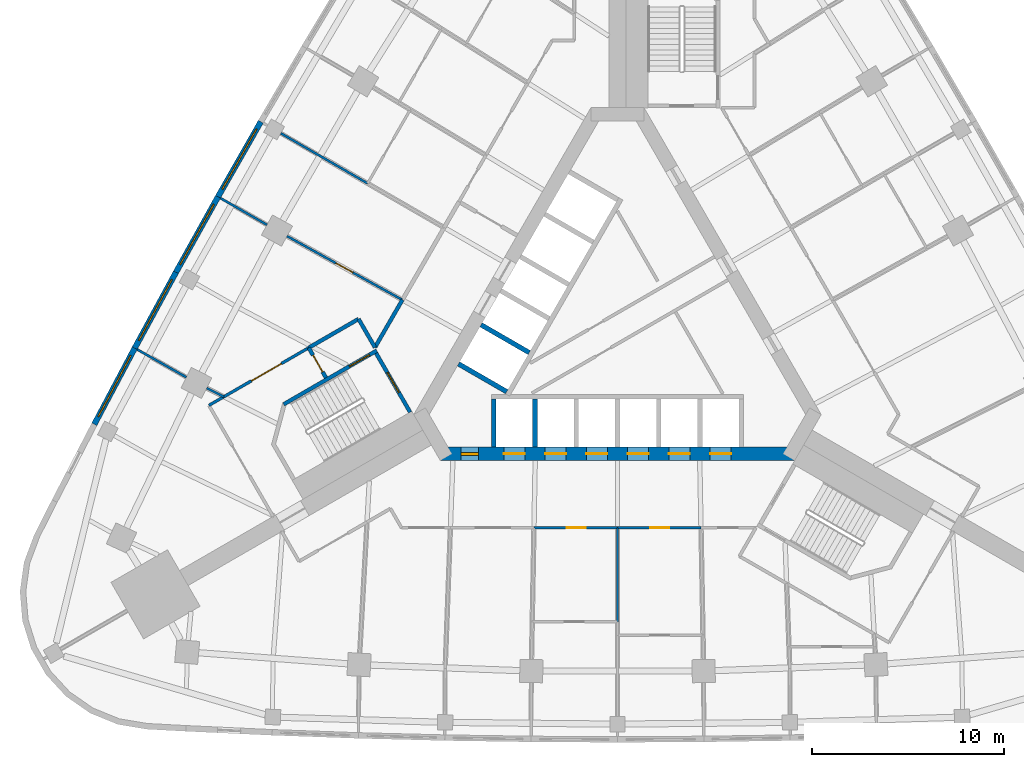
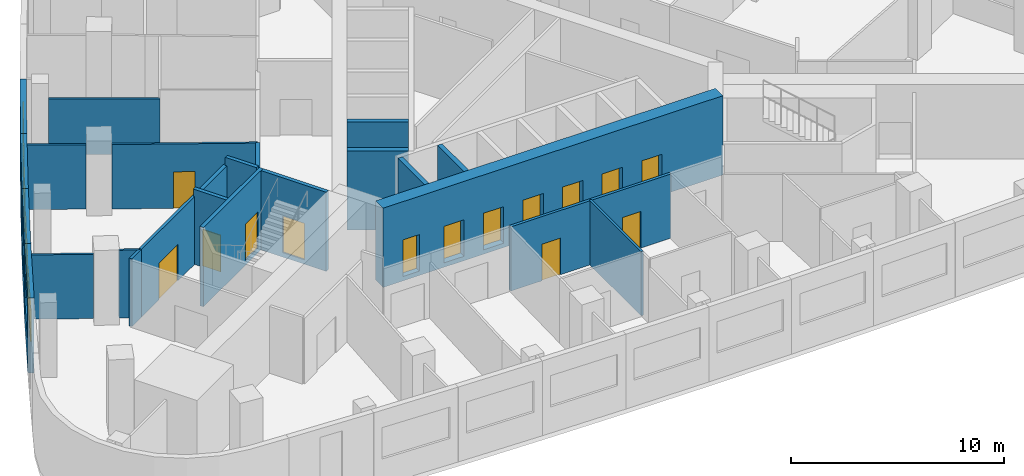
# One storey, part 5 of 11: 25 walls, 14 doors, 4 windows, 18 openings.
"""IFC4 building model written with IfcOpenShell, lengths in metres."""

from ifc_helpers import new_model, si_unit, direction, frame, frame_2d, origin, place, context, subcontext, project, spatial, rectangle, extrude, material, layer, layer_set, type_object, element, fill, save


model = new_model("IFC4")

# Units and contexts
model_context = context("Model", 3, precision=1e-05, world=origin(), true_north=direction((0.0, 1.0)))
body_context = subcontext(model_context, "Body", "Model", "MODEL_VIEW")
ifc_project = project(units=[si_unit("LENGTHUNIT", "METRE"), si_unit("AREAUNIT", "SQUARE_METRE"), si_unit("VOLUMEUNIT", "CUBIC_METRE"), si_unit("PLANEANGLEUNIT", "RADIAN"), si_unit("MASSUNIT", "GRAM", prefix="KILO")], contexts=[model_context])

# Site, building, storey
site_placement = place(None, origin())
site = spatial("IfcSite", under=ifc_project, at=site_placement, CompositionType="ELEMENT")
building_placement = place(site_placement, origin())
building = spatial("IfcBuilding", under=site, at=building_placement, Name="Noor Cloister Tower", CompositionType="ELEMENT")
storey_placement = place(building_placement, frame((0.0, 0.0, 19.5)))
storey = spatial("IfcBuildingStorey", under=building, at=storey_placement, Name="L04", CompositionType="ELEMENT", Elevation=19.5)

# Wall, openings, doors
ifc_material_1 = material(Name="Concrete C80/95", Category="concrete")
ifc_layer_1 = layer(ifc_material_1, 0.699951171875)
ifc_layer_set_1 = layer_set([ifc_layer_1], Name="Core wall 700 C80/95")
wall_type_1 = type_object("IfcWallType", Name="Core wall 700 C80/95", PredefinedType="SHEAR", material=ifc_layer_set_1)
wall_1_placement = place(storey_placement, frame((-9.228759765625, -6.578125, -0.25), z_axis=(0.0, 0.0, 1.0), x_axis=(1.0, 0.0, 0.0)))
wall_1 = element("IfcWall", 1, at=wall_1_placement, inside=storey, type_object=wall_type_1, Name="Core wall L04 1", PredefinedType="SHEAR", context=body_context, shape_type="SweptSolid", body=[
    extrude(rectangle(XDim=18.45751953125, YDim=0.699951171875, at=frame_2d((9.228759765625, 0.0))), origin(), (0.0, 0.0, 1.0), 4.550048828125),
])
opening_1_placement = place(wall_1_placement, frame((3.3037109375, 0.0, 0.25)))
opening_1 = element("IfcOpeningElement", 2, at=opening_1_placement, cuts=wall_1, Name="Opening L04-LR1", PredefinedType="OPENING", context=body_context, shape_type="SweptSolid", body=[
    extrude(rectangle(XDim=1.10009765625, YDim=2.10009765625, at=frame_2d((0.550048828125, 1.050048828125))), frame((0.0, 0.35986328125, 0.0), z_axis=(0.0, -1.0, 0.0), x_axis=(1.0, 0.0, 0.0)), (0.0, 0.0, 1.0), 0.719970703125),
])
opening_2_placement = place(wall_1_placement, frame((5.45361328125, 0.0, 0.25)))
opening_2 = element("IfcOpeningElement", 3, at=opening_2_placement, cuts=wall_1, Name="Opening L04-LR2", PredefinedType="OPENING", context=body_context, shape_type="SweptSolid", body=[
    extrude(rectangle(XDim=1.10009765625, YDim=2.10009765625, at=frame_2d((0.550048828125, 1.050048828125))), frame((0.0, 0.35986328125, 0.0), z_axis=(0.0, -1.0, 0.0), x_axis=(1.0, 0.0, 0.0)), (0.0, 0.0, 1.0), 0.719970703125),
])
opening_3_placement = place(wall_1_placement, frame((7.603759765625, 0.0, 0.25)))
opening_3 = element("IfcOpeningElement", 4, at=opening_3_placement, cuts=wall_1, Name="Opening L04-LR3", PredefinedType="OPENING", context=body_context, shape_type="SweptSolid", body=[
    extrude(rectangle(XDim=1.10009765625, YDim=2.10009765625, at=frame_2d((0.550048828125, 1.050048828125))), frame((0.0, 0.35986328125, 0.0), z_axis=(0.0, -1.0, 0.0), x_axis=(1.0, 0.0, 0.0)), (0.0, 0.0, 1.0), 0.719970703125),
])
opening_4_placement = place(wall_1_placement, frame((9.753662109375, 0.0, 0.25)))
opening_4 = element("IfcOpeningElement", 5, at=opening_4_placement, cuts=wall_1, Name="Opening L04-LR4", PredefinedType="OPENING", context=body_context, shape_type="SweptSolid", body=[
    extrude(rectangle(XDim=1.10009765625, YDim=2.10009765625, at=frame_2d((0.550048828125, 1.050048828125))), frame((0.0, 0.35986328125, 0.0), z_axis=(0.0, -1.0, 0.0), x_axis=(1.0, 0.0, 0.0)), (0.0, 0.0, 1.0), 0.719970703125),
])
opening_5_placement = place(wall_1_placement, frame((11.90380859375, 0.0, 0.25)))
opening_5 = element("IfcOpeningElement", 6, at=opening_5_placement, cuts=wall_1, Name="Opening L04-LR5", PredefinedType="OPENING", context=body_context, shape_type="SweptSolid", body=[
    extrude(rectangle(XDim=1.10009765625, YDim=2.10009765625, at=frame_2d((0.550048828125, 1.050048828125))), frame((0.0, 0.35986328125, 0.0), z_axis=(0.0, -1.0, 0.0), x_axis=(1.0, 0.0, 0.0)), (0.0, 0.0, 1.0), 0.719970703125),
])
opening_6_placement = place(wall_1_placement, frame((14.0537109375, 0.0, 0.25)))
opening_6 = element("IfcOpeningElement", 7, at=opening_6_placement, cuts=wall_1, Name="Opening L04-LR6", PredefinedType="OPENING", context=body_context, shape_type="SweptSolid", body=[
    extrude(rectangle(XDim=1.10009765625, YDim=2.10009765625, at=frame_2d((0.550048828125, 1.050048828125))), frame((0.0, 0.35986328125, 0.0), z_axis=(0.0, -1.0, 0.0), x_axis=(1.0, 0.0, 0.0)), (0.0, 0.0, 1.0), 0.719970703125),
])
opening_7_placement = place(wall_1_placement, frame((1.078857421875, 0.0, 0.25)))
opening_7 = element("IfcOpeningElement", 8, at=opening_7_placement, cuts=wall_1, Name="Opening L04-905", PredefinedType="OPENING", context=body_context, shape_type="SweptSolid", body=[
    extrude(rectangle(XDim=0.89990234375, YDim=2.10009765625, at=frame_2d((0.449951171875, 1.050048828125))), frame((0.0, 0.35986328125, 0.0), z_axis=(0.0, -1.0, 0.0), x_axis=(1.0, 0.0, 0.0)), (0.0, 0.0, 1.0), 0.719970703125),
])
ifc_material_2 = material(Name="Steel", Category="steel")
door_type_1 = type_object("IfcDoorType", Name="Core door 900 x 2100 FD120", OperationType="SINGLE_SWING_LEFT", PredefinedType="DOOR", material=ifc_material_2)
door_1_placement = place(opening_7_placement, origin())
door_1 = element("IfcDoor", 9, at=door_1_placement, inside=storey, type_object=door_type_1, Name="Core door 5 L04", OperationType="SINGLE_SWING_LEFT", OverallHeight=2.10009765625, OverallWidth=0.89990234375, PredefinedType="DOOR", context=body_context, shape_type="SweptSolid", body=[
    extrude(rectangle(XDim=0.89990234375, YDim=2.10009765625, at=frame_2d((0.449951171875, 1.050048828125))), frame((0.0, 0.074951171875, 0.0), z_axis=(0.0, -1.0, 0.0), x_axis=(1.0, 0.0, 0.0)), (0.0, 0.0, 1.0), 0.14990234375),
])
fill(opening_7, door_1)
ifc_material_3 = material(Name="Stainless steel", Category="steel")
door_type_2 = type_object("IfcDoorType", Name="Lift landing door 1100 x 2100", OperationType="DOUBLE_DOOR_SLIDING", PredefinedType="DOOR", material=ifc_material_3)
door_2_placement = place(opening_1_placement, origin())
door_2 = element("IfcDoor", 10, at=door_2_placement, inside=storey, type_object=door_type_2, Name="Landing door LR1 L04", OperationType="DOUBLE_DOOR_SLIDING", OverallHeight=2.10009765625, OverallWidth=1.10009765625, PredefinedType="DOOR", context=body_context, shape_type="SweptSolid", body=[
    extrude(rectangle(XDim=1.10009765625, YDim=2.10009765625, at=frame_2d((0.550048828125, 1.050048828125))), frame((0.0, 0.02490234375, 0.0), z_axis=(0.0, -1.0, 0.0), x_axis=(1.0, 0.0, 0.0)), (0.0, 0.0, 1.0), 0.050048828125),
])
fill(opening_1, door_2)
door_3_placement = place(opening_2_placement, origin())
door_3 = element("IfcDoor", 11, at=door_3_placement, inside=storey, type_object=door_type_2, Name="Landing door LR2 L04", OperationType="DOUBLE_DOOR_SLIDING", OverallHeight=2.10009765625, OverallWidth=1.10009765625, PredefinedType="DOOR", context=body_context, shape_type="SweptSolid", body=[
    extrude(rectangle(XDim=1.10009765625, YDim=2.10009765625, at=frame_2d((0.550048828125, 1.050048828125))), frame((0.0, 0.02490234375, 0.0), z_axis=(0.0, -1.0, 0.0), x_axis=(1.0, 0.0, 0.0)), (0.0, 0.0, 1.0), 0.050048828125),
])
fill(opening_2, door_3)
door_4_placement = place(opening_3_placement, origin())
door_4 = element("IfcDoor", 12, at=door_4_placement, inside=storey, type_object=door_type_2, Name="Landing door LR3 L04", OperationType="DOUBLE_DOOR_SLIDING", OverallHeight=2.10009765625, OverallWidth=1.10009765625, PredefinedType="DOOR", context=body_context, shape_type="SweptSolid", body=[
    extrude(rectangle(XDim=1.10009765625, YDim=2.10009765625, at=frame_2d((0.550048828125, 1.050048828125))), frame((0.0, 0.02490234375, 0.0), z_axis=(0.0, -1.0, 0.0), x_axis=(1.0, 0.0, 0.0)), (0.0, 0.0, 1.0), 0.050048828125),
])
fill(opening_3, door_4)
door_5_placement = place(opening_4_placement, origin())
door_5 = element("IfcDoor", 13, at=door_5_placement, inside=storey, type_object=door_type_2, Name="Landing door LR4 L04", OperationType="DOUBLE_DOOR_SLIDING", OverallHeight=2.10009765625, OverallWidth=1.10009765625, PredefinedType="DOOR", context=body_context, shape_type="SweptSolid", body=[
    extrude(rectangle(XDim=1.10009765625, YDim=2.10009765625, at=frame_2d((0.550048828125, 1.050048828125))), frame((0.0, 0.02490234375, 0.0), z_axis=(0.0, -1.0, 0.0), x_axis=(1.0, 0.0, 0.0)), (0.0, 0.0, 1.0), 0.050048828125),
])
fill(opening_4, door_5)
door_6_placement = place(opening_5_placement, origin())
door_6 = element("IfcDoor", 14, at=door_6_placement, inside=storey, type_object=door_type_2, Name="Landing door LR5 L04", OperationType="DOUBLE_DOOR_SLIDING", OverallHeight=2.10009765625, OverallWidth=1.10009765625, PredefinedType="DOOR", context=body_context, shape_type="SweptSolid", body=[
    extrude(rectangle(XDim=1.10009765625, YDim=2.10009765625, at=frame_2d((0.550048828125, 1.050048828125))), frame((0.0, 0.02490234375, 0.0), z_axis=(0.0, -1.0, 0.0), x_axis=(1.0, 0.0, 0.0)), (0.0, 0.0, 1.0), 0.050048828125),
])
fill(opening_5, door_6)
door_7_placement = place(opening_6_placement, origin())
door_7 = element("IfcDoor", 15, at=door_7_placement, inside=storey, type_object=door_type_2, Name="Landing door LR6 L04", OperationType="DOUBLE_DOOR_SLIDING", OverallHeight=2.10009765625, OverallWidth=1.10009765625, PredefinedType="DOOR", context=body_context, shape_type="SweptSolid", body=[
    extrude(rectangle(XDim=1.10009765625, YDim=2.10009765625, at=frame_2d((0.550048828125, 1.050048828125))), frame((0.0, 0.02490234375, 0.0), z_axis=(0.0, -1.0, 0.0), x_axis=(1.0, 0.0, 0.0)), (0.0, 0.0, 1.0), 0.050048828125),
])
fill(opening_6, door_7)

# Wall, opening, door
ifc_material_4 = material(Name="Plasterboard on steel studs", Category="steel")
ifc_layer_2 = layer(ifc_material_4, 0.14990234375)
ifc_layer_set_2 = layer_set([ifc_layer_2], Name="Corridor wall 150")
wall_type_2 = type_object("IfcWallType", Name="Corridor wall 150", PredefinedType="PARTITIONING", material=ifc_layer_set_2)
wall_2_placement = place(storey_placement, frame((4.35498046875, -10.427978515625, 0.0), z_axis=(0.0, 0.0, 1.0), x_axis=(-1.0, 0.0, 0.0)))
wall_2 = element("IfcWall", 16, at=wall_2_placement, inside=storey, type_object=wall_type_2, Name="Partition", PredefinedType="PARTITIONING", context=body_context, shape_type="SweptSolid", body=[
    extrude(rectangle(XDim=4.35888671875, YDim=0.14990234375, at=frame_2d((2.179443359375, 0.0))), origin(), (0.0, 0.0, 1.0), 3.68798828125),
])
opening_8_placement = place(wall_2_placement, frame((1.64990234375, 0.0, 0.0)))
opening_8 = element("IfcOpeningElement", 17, at=opening_8_placement, cuts=wall_2, Name="Opening L04-010", PredefinedType="OPENING", context=body_context, shape_type="SweptSolid", body=[
    extrude(rectangle(XDim=1.0, YDim=2.10009765625, at=frame_2d((0.5, 1.050048828125))), frame((0.0, 0.0849609375, 0.0), z_axis=(0.0, -1.0, 0.0), x_axis=(1.0, 0.0, 0.0)), (0.0, 0.0, 1.0), 0.169921875),
])
ifc_material_5 = material(Name="Timber door leaf", Category="wood")
door_type_3 = type_object("IfcDoorType", Name="Clinic room door 1000", OperationType="SINGLE_SWING_LEFT", PredefinedType="DOOR", material=ifc_material_5)
door_8_placement = place(opening_8_placement, origin())
door_8 = element("IfcDoor", 18, at=door_8_placement, inside=storey, type_object=door_type_3, Name="Door L04-010", OperationType="SINGLE_SWING_LEFT", OverallHeight=2.10009765625, OverallWidth=1.0, PredefinedType="DOOR", context=body_context, shape_type="SweptSolid", body=[
    extrude(rectangle(XDim=1.0, YDim=2.10009765625, at=frame_2d((0.5, 1.050048828125))), frame((0.0, 0.02490234375, 0.0), z_axis=(0.0, -1.0, 0.0), x_axis=(1.0, 0.0, 0.0)), (0.0, 0.0, 1.0), 0.050048828125),
])
fill(opening_8, door_8)

wall_3_placement = place(storey_placement, frame((0.00390625, -10.427978515625, 0.0), z_axis=(0.0, 0.0, 1.0), x_axis=(-1.0, 0.0, 0.0)))
wall_3 = element("IfcWall", 19, at=wall_3_placement, inside=storey, type_object=wall_type_2, Name="Partition", PredefinedType="PARTITIONING", context=body_context, shape_type="SweptSolid", body=[
    extrude(rectangle(XDim=4.35888671875, YDim=0.14990234375, at=frame_2d((2.179443359375, 0.0))), origin(), (0.0, 0.0, 1.0), 3.68798828125),
])
opening_9_placement = place(wall_3_placement, frame((1.64990234375, 0.0, 0.0)))
opening_9 = element("IfcOpeningElement", 20, at=opening_9_placement, cuts=wall_3, Name="Opening L04-011", PredefinedType="OPENING", context=body_context, shape_type="SweptSolid", body=[
    extrude(rectangle(XDim=1.0, YDim=2.10009765625, at=frame_2d((0.5, 1.050048828125))), frame((0.0, 0.0849609375, 0.0), z_axis=(0.0, -1.0, 0.0), x_axis=(1.0, 0.0, 0.0)), (0.0, 0.0, 1.0), 0.169921875),
])
door_9_placement = place(opening_9_placement, origin())
door_9 = element("IfcDoor", 21, at=door_9_placement, inside=storey, type_object=door_type_3, Name="Door L04-011", OperationType="SINGLE_SWING_LEFT", OverallHeight=2.10009765625, OverallWidth=1.0, PredefinedType="DOOR", context=body_context, shape_type="SweptSolid", body=[
    extrude(rectangle(XDim=1.0, YDim=2.10009765625, at=frame_2d((0.5, 1.050048828125))), frame((0.0, 0.02490234375, 0.0), z_axis=(0.0, -1.0, 0.0), x_axis=(1.0, 0.0, 0.0)), (0.0, 0.0, 1.0), 0.050048828125),
])
fill(opening_9, door_9)

# Wall
wall_4_placement = place(storey_placement, frame((-21.282958984375, -4.048095703125, 0.0), z_axis=(0.0, 0.0, 1.0), x_axis=(0.865804825377, 0.500381858538, 0.0)))
element("IfcWall", 22, at=wall_4_placement, inside=storey, type_object=wall_type_2, Name="Partition", PredefinedType="PARTITIONING", context=body_context, shape_type="SweptSolid", body=[
    extrude(rectangle(XDim=0.897216796875, YDim=0.14990234375, at=frame_2d((0.44873046875, 0.0))), origin(), (0.0, 0.0, 1.0), 3.89404296875),
])

# Wall, opening, door
wall_5_placement = place(storey_placement, frame((-16.0869140625, -1.049072265625, 0.0), z_axis=(0.0, 0.0, 1.0), x_axis=(-0.866071706002, -0.49991979363, 0.0)))
wall_5 = element("IfcWall", 23, at=wall_5_placement, inside=storey, type_object=wall_type_2, Name="Partition", PredefinedType="PARTITIONING", context=body_context, shape_type="SweptSolid", body=[
    extrude(rectangle(XDim=5.104736328125, YDim=0.14990234375, at=frame_2d((2.55224609375, 0.0))), origin(), (0.0, 0.0, 1.0), 3.89404296875),
])
opening_10_placement = place(wall_5_placement, frame((1.64990234375, 0.0, 0.0)))
opening_10 = element("IfcOpeningElement", 24, at=opening_10_placement, cuts=wall_5, Name="Opening L04-015", PredefinedType="OPENING", context=body_context, shape_type="SweptSolid", body=[
    extrude(rectangle(XDim=1.800048828125, YDim=2.10009765625, at=frame_2d((0.89990234375, 1.050048828125))), frame((0.0, 0.0849609375, 0.0), z_axis=(0.0, -1.0, 0.0), x_axis=(1.0, 0.0, 0.0)), (0.0, 0.0, 1.0), 0.169921875),
])
ifc_material_6 = material(Name="Timber door leaf", Category="wood")
door_type_4 = type_object("IfcDoorType", Name="Double leaf door 1800", OperationType="DOUBLE_DOOR_SINGLE_SWING", PredefinedType="DOOR", material=ifc_material_6)
door_10_placement = place(opening_10_placement, origin())
door_10 = element("IfcDoor", 25, at=door_10_placement, inside=storey, type_object=door_type_4, Name="Door L04-015", OperationType="DOUBLE_DOOR_SINGLE_SWING", OverallHeight=2.10009765625, OverallWidth=1.800048828125, PredefinedType="DOOR", context=body_context, shape_type="SweptSolid", body=[
    extrude(rectangle(XDim=1.800048828125, YDim=2.10009765625, at=frame_2d((0.89990234375, 1.050048828125))), frame((0.0, 0.02490234375, 0.0), z_axis=(0.0, -1.0, 0.0), x_axis=(1.0, 0.0, 0.0)), (0.0, 0.0, 1.0), 0.050048828125),
])
fill(opening_10, door_10)

ifc_material_7 = material(Name="Reinforced blockwork", Category="masonry")
ifc_layer_3 = layer(ifc_material_7, 0.199951171875)
ifc_layer_set_3 = layer_set([ifc_layer_3], Name="Fire rated block wall 200")
wall_type_3 = type_object("IfcWallType", Name="Fire rated block wall 200", PredefinedType="PARTITIONING", material=ifc_layer_set_3)
wall_6_placement = place(storey_placement, frame((-15.18798828125, -2.60693359375, 0.0), z_axis=(0.0, 0.0, 1.0), x_axis=(-0.500024172624, 0.866011447264, 0.0)))
wall_6 = element("IfcWall", 26, at=wall_6_placement, inside=storey, type_object=wall_type_3, Name="Fire rated wall", PredefinedType="PARTITIONING", context=body_context, shape_type="SweptSolid", body=[
    extrude(rectangle(XDim=1.7978515625, YDim=0.199951171875, at=frame_2d((0.89892578125, 0.0))), origin(), (0.0, 0.0, 1.0), 4.300048828125),
])
opening_11_placement = place(wall_6_placement, frame((0.35009765625, 0.0, 0.0)))
opening_11 = element("IfcOpeningElement", 27, at=opening_11_placement, cuts=wall_6, Name="Opening L04-031", PredefinedType="OPENING", context=body_context, shape_type="SweptSolid", body=[
    extrude(rectangle(XDim=1.0, YDim=2.10009765625, at=frame_2d((0.5, 1.050048828125))), frame((0.0, 0.10986328125, 0.0), z_axis=(0.0, -1.0, 0.0), x_axis=(1.0, 0.0, 0.0)), (0.0, 0.0, 1.0), 0.219970703125),
])
ifc_material_8 = material(Name="Steel fire door", Category="steel")
door_type_5 = type_object("IfcDoorType", Name="Fire door FD60 1000", OperationType="SINGLE_SWING_LEFT", PredefinedType="DOOR", material=ifc_material_8)
door_11_placement = place(opening_11_placement, origin())
door_11 = element("IfcDoor", 28, at=door_11_placement, inside=storey, type_object=door_type_5, Name="Door L04-031", OperationType="SINGLE_SWING_LEFT", OverallHeight=2.10009765625, OverallWidth=1.0, PredefinedType="DOOR", context=body_context, shape_type="SweptSolid", body=[
    extrude(rectangle(XDim=1.0, YDim=2.10009765625, at=frame_2d((0.5, 1.050048828125))), frame((0.0, 0.02490234375, 0.0), z_axis=(0.0, -1.0, 0.0), x_axis=(1.0, 0.0, 0.0)), (0.0, 0.0, 1.0), 0.050048828125),
])
fill(opening_11, door_11)

# Walls
wall_7_placement = place(storey_placement, frame((-16.0869140625, -1.048095703125, 0.0), z_axis=(0.0, 0.0, 1.0), x_axis=(0.865988915629, 0.500063194015, 0.0)))
element("IfcWall", 29, at=wall_7_placement, inside=storey, type_object=wall_type_3, Name="Fire rated wall", PredefinedType="PARTITIONING", context=body_context, shape_type="SweptSolid", body=[
    extrude(rectangle(XDim=2.99755859375, YDim=0.199951171875, at=frame_2d((1.498779296875, 0.0))), origin(), (0.0, 0.0, 1.0), 3.843017578125),
])
wall_8_placement = place(storey_placement, frame((-13.489013671875, 0.450927734375, 0.0), z_axis=(0.0, 0.0, 1.0), x_axis=(0.500044178772, -0.865999895656, 0.0)))
element("IfcWall", 30, at=wall_8_placement, inside=storey, type_object=wall_type_3, Name="Fire rated wall", PredefinedType="PARTITIONING", context=body_context, shape_type="SweptSolid", body=[
    extrude(rectangle(XDim=1.707763671875, YDim=0.199951171875, at=frame_2d((0.85400390625, 0.0))), origin(), (0.0, 0.0, 1.0), 4.300048828125),
])
wall_9_placement = place(storey_placement, frame((-12.635009765625, -1.028076171875, 0.0), z_axis=(0.0, 0.0, 1.0), x_axis=(0.50005725472, 0.865992345233, 0.0)))
element("IfcWall", 31, at=wall_9_placement, inside=storey, type_object=wall_type_3, Name="Fire rated wall", PredefinedType="PARTITIONING", context=body_context, shape_type="SweptSolid", body=[
    extrude(rectangle(XDim=2.861572265625, YDim=0.199951171875, at=frame_2d((1.4306640625, 0.0))), origin(), (0.0, 0.0, 1.0), 3.697998046875),
])

# Wall, opening, window
ifc_material_9 = material(Name="Limestone", Category="masonry")
ifc_layer_4 = layer(ifc_material_9, 0.300048828125)
ifc_layer_set_4 = layer_set([ifc_layer_4], Name="Limestone panel wall 300")
wall_type_4 = type_object("IfcWallType", Name="Limestone panel wall 300", PredefinedType="NOTDEFINED", material=ifc_layer_set_4)
wall_10_placement = place(storey_placement, frame((-20.81103515625, 6.822509765625, 0.0), z_axis=(0.0, 0.0, 1.0), x_axis=(0.495524760411, 0.868593812907, 0.0)))
wall_10 = element("IfcWall", 32, at=wall_10_placement, inside=storey, type_object=wall_type_4, Name="Limestone wall L04 NW 6", PredefinedType="NOTDEFINED", context=body_context, shape_type="SweptSolid", body=[
    extrude(rectangle(XDim=4.495849609375, YDim=0.300048828125, at=frame_2d((2.248046875, 0.0))), origin(), (0.0, 0.0, 1.0), 4.300048828125),
])
opening_12_placement = place(wall_10_placement, frame((0.447998046875, 0.0, 1.5)))
opening_12 = element("IfcOpeningElement", 33, at=opening_12_placement, cuts=wall_10, Name="Opening L04-W06", PredefinedType="OPENING", context=body_context, shape_type="SweptSolid", body=[
    extrude(rectangle(XDim=3.60009765625, YDim=1.800048828125, at=frame_2d((1.800048828125, 0.89990234375))), frame((0.0, 0.16015625, 0.0), z_axis=(0.0, -1.0, 0.0), x_axis=(1.0, 0.0, 0.0)), (0.0, 0.0, 1.0), 0.320068359375),
])
ifc_material_10 = material(Name="Aluminium 6063-T6 anodised", Category="aluminium")
window_type = type_object("IfcWindowType", Name="Clerestory window 3600 x 1800", PartitioningType="SINGLE_PANEL", PredefinedType="WINDOW", material=ifc_material_10)
window_1_placement = place(opening_12_placement, origin())
window_1 = element("IfcWindow", 34, at=window_1_placement, inside=storey, type_object=window_type, Name="Window L04 6", OverallHeight=1.800048828125, OverallWidth=3.60009765625, PartitioningType="SINGLE_PANEL", PredefinedType="WINDOW", context=body_context, shape_type="SweptSolid", body=[
    extrude(rectangle(XDim=3.60009765625, YDim=1.800048828125, at=frame_2d((1.800048828125, 0.89990234375))), frame((0.0, 0.030029296875, 0.0), z_axis=(0.0, -1.0, 0.0), x_axis=(1.0, 0.0, 0.0)), (0.0, 0.0, 1.0), 0.06005859375),
])
fill(opening_12, window_1)

wall_11_placement = place(storey_placement, frame((-23.0, 2.892578125, 0.0), z_axis=(0.0, 0.0, 1.0), x_axis=(0.486606252415, 0.873621402617, 0.0)))
wall_11 = element("IfcWall", 35, at=wall_11_placement, inside=storey, type_object=wall_type_4, Name="Limestone wall L04 NW 7", PredefinedType="NOTDEFINED", context=body_context, shape_type="SweptSolid", body=[
    extrude(rectangle(XDim=4.495849609375, YDim=0.300048828125, at=frame_2d((2.248046875, 0.0))), origin(), (0.0, 0.0, 1.0), 4.300048828125),
])
opening_13_placement = place(wall_11_placement, frame((0.447998046875, 0.0, 1.5)))
opening_13 = element("IfcOpeningElement", 36, at=opening_13_placement, cuts=wall_11, Name="Opening L04-W07", PredefinedType="OPENING", context=body_context, shape_type="SweptSolid", body=[
    extrude(rectangle(XDim=3.60009765625, YDim=1.800048828125, at=frame_2d((1.800048828125, 0.89990234375))), frame((0.0, 0.16015625, 0.0), z_axis=(0.0, -1.0, 0.0), x_axis=(1.0, 0.0, 0.0)), (0.0, 0.0, 1.0), 0.320068359375),
])
window_2_placement = place(opening_13_placement, origin())
window_2 = element("IfcWindow", 37, at=window_2_placement, inside=storey, type_object=window_type, Name="Window L04 7", OverallHeight=1.800048828125, OverallWidth=3.60009765625, PartitioningType="SINGLE_PANEL", PredefinedType="WINDOW", context=body_context, shape_type="SweptSolid", body=[
    extrude(rectangle(XDim=3.60009765625, YDim=1.800048828125, at=frame_2d((1.800048828125, 0.89990234375))), frame((0.0, 0.030029296875, 0.0), z_axis=(0.0, -1.0, 0.0), x_axis=(1.0, 0.0, 0.0)), (0.0, 0.0, 1.0), 0.06005859375),
])
fill(opening_13, window_2)

wall_12_placement = place(storey_placement, frame((-25.1484375, -1.059814453125, 0.0), z_axis=(0.0, 0.0, 1.0), x_axis=(0.477577109439, 0.878589838628, 0.0)))
wall_12 = element("IfcWall", 38, at=wall_12_placement, inside=storey, type_object=wall_type_4, Name="Limestone wall L04 NW 8", PredefinedType="NOTDEFINED", context=body_context, shape_type="SweptSolid", body=[
    extrude(rectangle(XDim=4.49609375, YDim=0.300048828125, at=frame_2d((2.248046875, 0.0))), origin(), (0.0, 0.0, 1.0), 4.300048828125),
])
opening_14_placement = place(wall_12_placement, frame((0.447998046875, 0.0, 1.5)))
opening_14 = element("IfcOpeningElement", 39, at=opening_14_placement, cuts=wall_12, Name="Opening L04-W08", PredefinedType="OPENING", context=body_context, shape_type="SweptSolid", body=[
    extrude(rectangle(XDim=3.60009765625, YDim=1.800048828125, at=frame_2d((1.800048828125, 0.89990234375))), frame((0.0, 0.16015625, 0.0), z_axis=(0.0, -1.0, 0.0), x_axis=(1.0, 0.0, 0.0)), (0.0, 0.0, 1.0), 0.320068359375),
])
window_3_placement = place(opening_14_placement, origin())
window_3 = element("IfcWindow", 40, at=window_3_placement, inside=storey, type_object=window_type, Name="Window L04 8", OverallHeight=1.800048828125, OverallWidth=3.60009765625, PartitioningType="SINGLE_PANEL", PredefinedType="WINDOW", context=body_context, shape_type="SweptSolid", body=[
    extrude(rectangle(XDim=3.60009765625, YDim=1.800048828125, at=frame_2d((1.800048828125, 0.89990234375))), frame((0.0, 0.030029296875, 0.0), z_axis=(0.0, -1.0, 0.0), x_axis=(1.0, 0.0, 0.0)), (0.0, 0.0, 1.0), 0.06005859375),
])
fill(opening_14, window_3)

wall_13_placement = place(storey_placement, frame((-27.25634765625, -5.03369140625, 0.0), z_axis=(0.0, 0.0, 1.0), x_axis=(0.468566202388, 0.883428386447, 0.0)))
wall_13 = element("IfcWall", 41, at=wall_13_placement, inside=storey, type_object=wall_type_4, Name="Limestone wall L04 NW 9", PredefinedType="NOTDEFINED", context=body_context, shape_type="SweptSolid", body=[
    extrude(rectangle(XDim=4.49609375, YDim=0.300048828125, at=frame_2d((2.248046875, 0.0))), origin(), (0.0, 0.0, 1.0), 4.300048828125),
])
opening_15_placement = place(wall_13_placement, frame((0.447998046875, 0.0, 1.5)))
opening_15 = element("IfcOpeningElement", 42, at=opening_15_placement, cuts=wall_13, Name="Opening L04-W09", PredefinedType="OPENING", context=body_context, shape_type="SweptSolid", body=[
    extrude(rectangle(XDim=3.60009765625, YDim=1.800048828125, at=frame_2d((1.800048828125, 0.89990234375))), frame((0.0, 0.16015625, 0.0), z_axis=(0.0, -1.0, 0.0), x_axis=(1.0, 0.0, 0.0)), (0.0, 0.0, 1.0), 0.320068359375),
])
window_4_placement = place(opening_15_placement, origin())
window_4 = element("IfcWindow", 43, at=window_4_placement, inside=storey, type_object=window_type, Name="Window L04 9", OverallHeight=1.800048828125, OverallWidth=3.60009765625, PartitioningType="SINGLE_PANEL", PredefinedType="WINDOW", context=body_context, shape_type="SweptSolid", body=[
    extrude(rectangle(XDim=3.60009765625, YDim=1.800048828125, at=frame_2d((1.800048828125, 0.89990234375))), frame((0.0, 0.030029296875, 0.0), z_axis=(0.0, -1.0, 0.0), x_axis=(1.0, 0.0, 0.0)), (0.0, 0.0, 1.0), 0.06005859375),
])
fill(opening_15, window_4)

# Walls
ifc_material_11 = material(Name="Plasterboard on steel studs", Category="steel")
ifc_layer_5 = layer(ifc_material_11, 0.1201171875)
ifc_layer_set_5 = layer_set([ifc_layer_5], Name="Partition wall 120")
wall_type_5 = type_object("IfcWallType", Name="Partition wall 120", PredefinedType="PARTITIONING", material=ifc_layer_set_5)
wall_14_placement = place(storey_placement, frame((0.0, -10.427978515625, 0.0), z_axis=(0.0, 0.0, 1.0), x_axis=(0.0, -1.0, 0.0)))
element("IfcWall", 44, at=wall_14_placement, inside=storey, type_object=wall_type_5, Name="Partition", PredefinedType="PARTITIONING", context=body_context, shape_type="SweptSolid", body=[
    extrude(rectangle(XDim=4.89990234375, YDim=0.1201171875, at=frame_2d((2.449951171875, 0.0))), origin(), (0.0, 0.0, 1.0), 3.68798828125),
])
wall_15_placement = place(storey_placement, frame((-22.4609375, -2.583984375, 0.0), z_axis=(0.0, 0.0, 1.0), x_axis=(-0.870620069476, 0.491955988505, 0.0)))
element("IfcWall", 45, at=wall_15_placement, inside=storey, type_object=wall_type_5, Name="Partition", PredefinedType="PARTITIONING", context=body_context, shape_type="SweptSolid", body=[
    extrude(rectangle(XDim=2.939453125, YDim=0.1201171875, at=frame_2d((1.4697265625, 0.0))), origin(), (0.0, 0.0, 1.0), 3.68310546875),
])
wall_16_placement = place(storey_placement, frame((-20.509033203125, -3.60107421875, 0.0), z_axis=(0.0, 0.0, 1.0), x_axis=(-0.892316605155, 0.451410097544, 0.0)))
element("IfcWall", 46, at=wall_16_placement, inside=storey, type_object=wall_type_5, Name="Partition", PredefinedType="PARTITIONING", context=body_context, shape_type="SweptSolid", body=[
    extrude(rectangle(XDim=0.99951171875, YDim=0.1201171875, at=frame_2d((0.499755859375, 0.0))), origin(), (0.0, 0.0, 1.0), 3.89404296875),
])
wall_17_placement = place(storey_placement, frame((-18.260009765625, 5.35595703125, 0.0), z_axis=(0.0, 0.0, 1.0), x_axis=(-0.867283853893, 0.49781393791, 0.0)))
element("IfcWall", 47, at=wall_17_placement, inside=storey, type_object=wall_type_5, Name="Partition", PredefinedType="PARTITIONING", context=body_context, shape_type="SweptSolid", body=[
    extrude(rectangle(XDim=2.79248046875, YDim=0.1201171875, at=frame_2d((1.396240234375, 0.0))), origin(), (0.0, 0.0, 1.0), 3.68310546875),
])

# Wall, opening, door
wall_18_placement = place(storey_placement, frame((-11.2080078125, 1.446044921875, 0.0), z_axis=(0.0, 0.0, 1.0), x_axis=(-0.875125393946, 0.483896212912, 0.0)))
wall_18 = element("IfcWall", 48, at=wall_18_placement, inside=storey, type_object=wall_type_5, Name="Partition", PredefinedType="PARTITIONING", context=body_context, shape_type="SweptSolid", body=[
    extrude(rectangle(XDim=6.863037109375, YDim=0.1201171875, at=frame_2d((3.431640625, 0.0))), origin(), (0.0, 0.0, 1.0), 3.697998046875),
])
opening_16_placement = place(wall_18_placement, frame((2.949951171875, 0.0, 0.0)))
opening_16 = element("IfcOpeningElement", 49, at=opening_16_placement, cuts=wall_18, Name="Opening L04-017", PredefinedType="OPENING", context=body_context, shape_type="SweptSolid", body=[
    extrude(rectangle(XDim=1.0, YDim=2.10009765625, at=frame_2d((0.5, 1.050048828125))), frame((0.0, 0.070068359375, 0.0), z_axis=(0.0, -1.0, 0.0), x_axis=(1.0, 0.0, 0.0)), (0.0, 0.0, 1.0), 0.14013671875),
])
door_12_placement = place(opening_16_placement, origin())
door_12 = element("IfcDoor", 50, at=door_12_placement, inside=storey, type_object=door_type_3, Name="Door L04-017", OperationType="SINGLE_SWING_LEFT", OverallHeight=2.10009765625, OverallWidth=1.0, PredefinedType="DOOR", context=body_context, shape_type="SweptSolid", body=[
    extrude(rectangle(XDim=1.0, YDim=2.10009765625, at=frame_2d((0.5, 1.050048828125))), frame((0.0, 0.02490234375, 0.0), z_axis=(0.0, -1.0, 0.0), x_axis=(1.0, 0.0, 0.0)), (0.0, 0.0, 1.0), 0.050048828125),
])
fill(opening_16, door_12)

# Walls
wall_19_placement = place(storey_placement, frame((-13.01708984375, 7.514892578125, 0.0), z_axis=(0.0, 0.0, 1.0), x_axis=(-0.866023771128, 0.500002827834, 0.0)))
element("IfcWall", 51, at=wall_19_placement, inside=storey, type_object=wall_type_5, Name="Partition", PredefinedType="PARTITIONING", context=body_context, shape_type="SweptSolid", body=[
    extrude(rectangle(XDim=5.22607421875, YDim=0.1201171875, at=frame_2d((2.613037109375, 0.0))), origin(), (0.0, 0.0, 1.0), 3.179931640625),
])
ifc_material_12 = material(Name="Concrete C80/95", Category="concrete")
ifc_layer_6 = layer(ifc_material_12, 0.25)
ifc_layer_set_6 = layer_set([ifc_layer_6], Name="Shaft wall 250 C80/95")
wall_type_6 = type_object("IfcWallType", Name="Shaft wall 250 C80/95", PredefinedType="PARTITIONING", material=ifc_layer_set_6)
for number, where, z_axis, x_axis, name in (
    (52, (-6.449951171875, -6.228271484375, -0.25), (0.0, 0.0, 1.0), (0.0, 1.0, 0.0), "Lift shaft wall L04 S 1"),
    (53, (-4.300048828125, -6.228271484375, -0.25), (0.0, 0.0, 1.0), (0.0, 1.0, 0.0), "Lift shaft wall L04 S 2"),
):
    element("IfcWall", number, at=place(storey_placement, frame(where, z_axis=z_axis, x_axis=x_axis)), inside=storey, type_object=wall_type_6, Name=name, PredefinedType="PARTITIONING", context=body_context, shape_type="SweptSolid", body=[
        extrude(rectangle(XDim=2.5, YDim=0.25, at=frame_2d((1.25, 0.0))), origin(), (0.0, 0.0, 1.0), 4.550048828125),
    ])
for number, where, z_axis, x_axis, name in (
    (54, (-7.106201171875, 0.14794921875, -0.25), (0.0, 0.0, 1.0), (0.866032775405, -0.499987231761, 0.0), "Lift shaft wall L04 NW 5"),
    (55, (-8.28125, -1.88720703125, -0.25), (0.0, 0.0, 1.0), (0.866032775405, -0.499987231761, 0.0), "Lift shaft wall L04 NW 6"),
):
    element("IfcWall", number, at=place(storey_placement, frame(where, z_axis=z_axis, x_axis=x_axis)), inside=storey, type_object=wall_type_6, Name=name, PredefinedType="PARTITIONING", context=body_context, shape_type="SweptSolid", body=[
        extrude(rectangle(XDim=2.89990234375, YDim=0.25, at=frame_2d((1.449951171875, 0.0))), origin(), (0.0, 0.0, 1.0), 4.550048828125),
    ])

# Wall, opening, door
ifc_material_13 = material(Name="Concrete C80/95", Category="concrete")
ifc_layer_7 = layer(ifc_material_13, 0.199951171875)
ifc_layer_set_7 = layer_set([ifc_layer_7], Name="Stair enclosure wall 200 C80/95")
wall_type_7 = type_object("IfcWallType", Name="Stair enclosure wall 200 C80/95", PredefinedType="SHEAR", material=ifc_layer_set_7)
wall_20_placement = place(storey_placement, frame((-12.575927734375, -1.33056640625, -0.25), z_axis=(0.0, 0.0, 1.0), x_axis=(0.499970499736, -0.8660424351, 0.0)))
wall_20 = element("IfcWall", 56, at=wall_20_placement, inside=storey, type_object=wall_type_7, Name="Stair enclosure wall ST2 L04 near end", PredefinedType="SHEAR", context=body_context, shape_type="SweptSolid", body=[
    extrude(rectangle(XDim=3.550048828125, YDim=0.199951171875, at=frame_2d((1.77490234375, 0.0))), origin(), (0.0, 0.0, 1.0), 4.550048828125),
])
opening_17_placement = place(wall_20_placement, frame((1.175048828125, 0.0, 0.25)))
opening_17 = element("IfcOpeningElement", 57, at=opening_17_placement, cuts=wall_20, Name="Opening L04-ST2L", PredefinedType="OPENING", context=body_context, shape_type="SweptSolid", body=[
    extrude(rectangle(XDim=1.199951171875, YDim=2.10009765625, at=frame_2d((0.60009765625, 1.050048828125))), frame((0.0, 0.10986328125, 0.0), z_axis=(0.0, -1.0, 0.0), x_axis=(1.0, 0.0, 0.0)), (0.0, 0.0, 1.0), 0.219970703125),
])
ifc_material_14 = material(Name="Steel", Category="steel")
door_type_6 = type_object("IfcDoorType", Name="Stair door 1200 x 2100 FD120", OperationType="SINGLE_SWING_LEFT", PredefinedType="DOOR", material=ifc_material_14)
door_13_placement = place(opening_17_placement, origin())
door_13 = element("IfcDoor", 58, at=door_13_placement, inside=storey, type_object=door_type_6, Name="Stair door ST2 L04", OperationType="SINGLE_SWING_RIGHT", OverallHeight=2.10009765625, OverallWidth=1.199951171875, PredefinedType="DOOR", context=body_context, shape_type="SweptSolid", body=[
    extrude(rectangle(XDim=1.199951171875, YDim=2.10009765625, at=frame_2d((0.60009765625, 1.050048828125))), frame((0.0, 0.02490234375, 0.0), z_axis=(0.0, -1.0, 0.0), x_axis=(1.0, 0.0, 0.0)), (0.0, 0.0, 1.0), 0.050048828125),
])
fill(opening_17, door_13)

wall_21_placement = place(storey_placement, frame((-12.539306640625, -1.194091796875, -0.25), z_axis=(0.0, 0.0, 1.0), x_axis=(-0.866045472092, -0.499965239061, 0.0)))
wall_21 = element("IfcWall", 59, at=wall_21_placement, inside=storey, type_object=wall_type_7, Name="Stair enclosure wall ST2 L04 outer side", PredefinedType="SHEAR", context=body_context, shape_type="SweptSolid", body=[
    extrude(rectangle(XDim=5.60009765625, YDim=0.199951171875, at=frame_2d((2.800048828125, 0.0))), origin(), (0.0, 0.0, 1.0), 4.550048828125),
])
opening_18_placement = place(wall_21_placement, frame((0.449951171875, 0.0, 0.25)))
opening_18 = element("IfcOpeningElement", 60, at=opening_18_placement, cuts=wall_21, Name="Opening L04-ST2C", PredefinedType="OPENING", context=body_context, shape_type="SweptSolid", body=[
    extrude(rectangle(XDim=1.199951171875, YDim=2.10009765625, at=frame_2d((0.60009765625, 1.050048828125))), frame((0.0, 0.10986328125, 0.0), z_axis=(0.0, -1.0, 0.0), x_axis=(1.0, 0.0, 0.0)), (0.0, 0.0, 1.0), 0.219970703125),
])
door_14_placement = place(opening_18_placement, origin())
door_14 = element("IfcDoor", 61, at=door_14_placement, inside=storey, type_object=door_type_6, Name="Stair door ST2 L04", OperationType="SINGLE_SWING_LEFT", OverallHeight=2.10009765625, OverallWidth=1.199951171875, PredefinedType="DOOR", context=body_context, shape_type="SweptSolid", body=[
    extrude(rectangle(XDim=1.199951171875, YDim=2.10009765625, at=frame_2d((0.60009765625, 1.050048828125))), frame((0.0, 0.02490234375, 0.0), z_axis=(0.0, -1.0, 0.0), x_axis=(1.0, 0.0, 0.0)), (0.0, 0.0, 1.0), 0.050048828125),
])
fill(opening_18, door_14)

save(model, "model.ifc")
